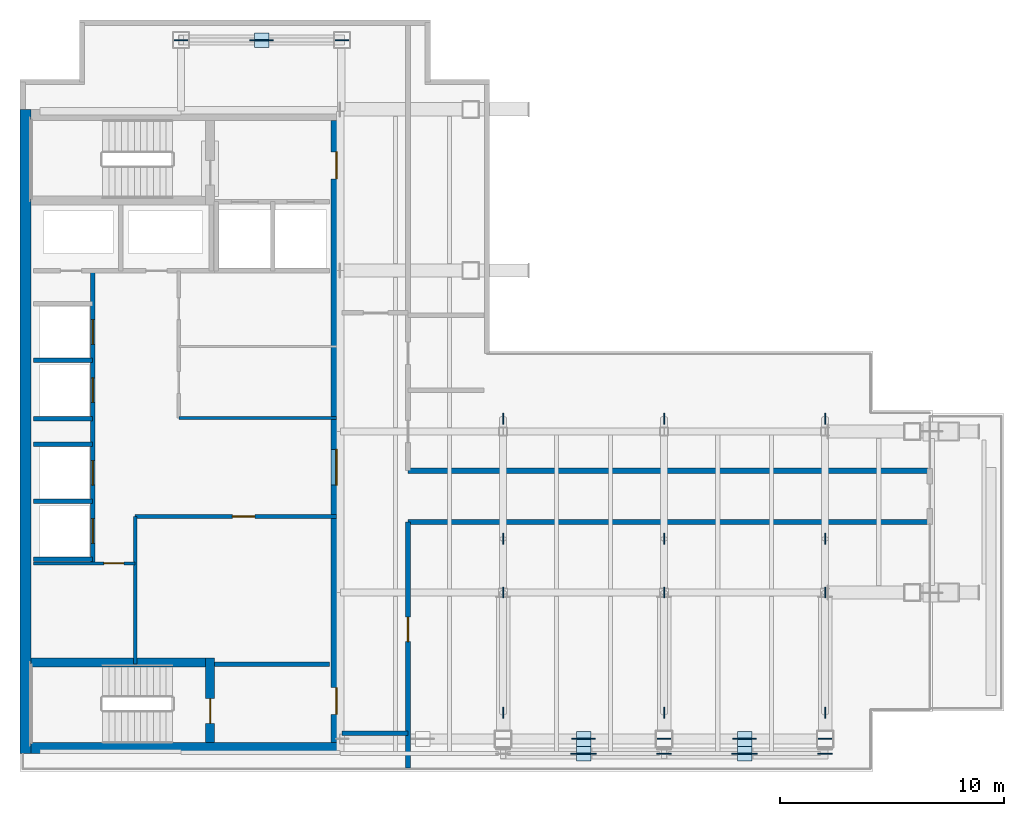
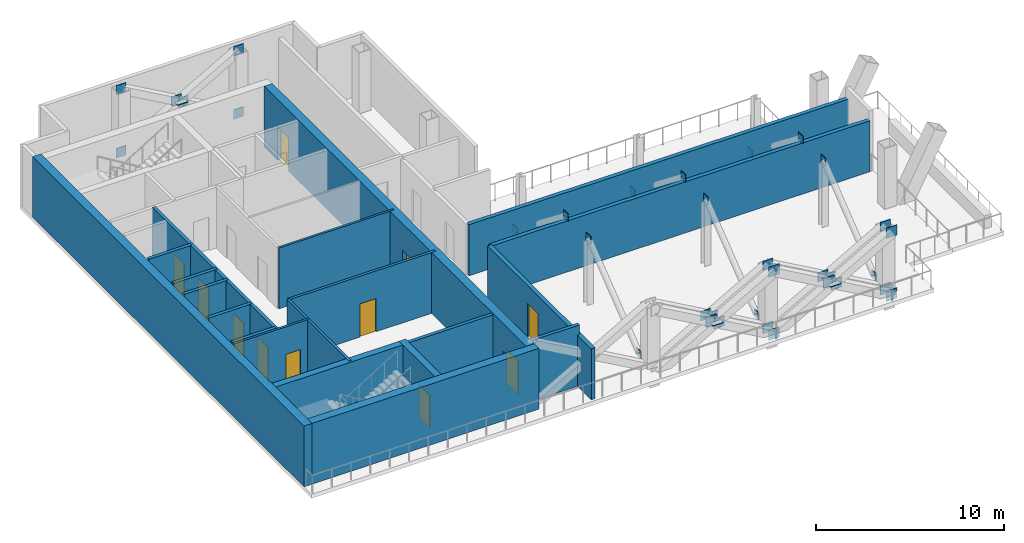
# One storey, part 3 of 6: 39 plates, 20 walls, 11 doors, 11 openings.
"""IFC4 building model written with IfcOpenShell, lengths in metres."""

from ifc_helpers import new_model, si_unit, direction, frame, frame_2d, origin, origin_2d, place, context, subcontext, project, spatial, rectangle, extrude, material, layer, layer_set, type_object, element, fill, save


model = new_model("IFC4")

# Units and contexts
model_context = context("Model", 3, precision=1e-05, world=origin(), true_north=direction((0.0, 1.0)))
body_context = subcontext(model_context, "Body", "Model", "MODEL_VIEW")
ifc_project = project(units=[si_unit("LENGTHUNIT", "METRE"), si_unit("AREAUNIT", "SQUARE_METRE"), si_unit("VOLUMEUNIT", "CUBIC_METRE"), si_unit("PLANEANGLEUNIT", "RADIAN"), si_unit("MASSUNIT", "GRAM", prefix="KILO")], contexts=[model_context])

# Site, building, storey
site_placement = place(None, origin())
site = spatial("IfcSite", under=ifc_project, at=site_placement, CompositionType="ELEMENT")
building_placement = place(site_placement, origin())
building = spatial("IfcBuilding", under=site, at=building_placement, Name="Cobrela Telecom Tower", CompositionType="ELEMENT")
storey_placement = place(building_placement, frame((0.0, 0.0, 232.75)))
storey = spatial("IfcBuildingStorey", under=building, at=storey_placement, Name="L60", CompositionType="ELEMENT", Elevation=232.75)

# Plates
ifc_material_1 = material(Name="Steel ASTM A572 Grade 50", Category="steel")
ifc_layer_1 = layer(ifc_material_1, 0.0419921875)
ifc_layer_set_1 = layer_set([ifc_layer_1], Name="Steel ASTM A572 Grade 50")
plate_type_1 = type_object("IfcPlateType", Name="PLT-NODE-ND11", PredefinedType="USERDEFINED", material=ifc_layer_set_1)
for number, where, z_axis, x_axis, name in (
    (1, (28.800048828125, 7.85009765625, 3.634765625), (0.0, 0.0, 1.0), (1.0, 0.0, 0.0), "Steel node plate PLT-MBR-BELT-L60-S04-A-1"),
    (2, (28.800048828125, 7.85009765625, -0.44482421875), (0.0, 0.0, 1.0), (-1.0, 0.0, 0.0), "Steel node plate PLT-MBR-BELT-L60-S04-B1-0"),
    (3, (25.419189453125, 7.85009765625, 1.470703125), (0.0, 0.0, 1.0), (-1.0, 0.0, 0.0), "Steel node plate PLT-MBR-BELT-L60-S04-B1-1"),
    (4, (24.980712890625, 7.85009765625, 1.71923828125), (0.0, 0.0, 1.0), (-1.0, 0.0, 0.0), "Steel node plate PLT-MBR-BELT-L60-S04-B2-0"),
):
    element("IfcPlate", number, at=place(storey_placement, frame(where, z_axis=z_axis, x_axis=x_axis)), inside=storey, type_object=plate_type_1, Name=name, ObjectType="GUSSET PLATE", PredefinedType="USERDEFINED", context=body_context, shape_type="SweptSolid", body=[
        extrude(rectangle(XDim=0.610107421875, YDim=0.044921875, at=origin_2d()), origin(), (0.0, 0.0, 1.0), 0.610107421875),
    ])
plate_1_placement = place(storey_placement, frame((25.199951171875, 7.85009765625, 1.87744140625), z_axis=(0.0, 0.0, 1.0), x_axis=(1.0, 0.0, 0.0)))
element("IfcPlate", 5, at=plate_1_placement, inside=storey, type_object=plate_type_1, Name="L60 South Perimeter Belt Truss Brace 04 Central X-Crossing Gusset Plate", ObjectType="GUSSET PLATE", PredefinedType="USERDEFINED", context=body_context, shape_type="SweptSolid", body=[
    extrude(rectangle(XDim=0.64990234375, YDim=0.64990234375, at=origin_2d()), origin(), (0.0, 0.0, 1.0), 0.044921875),
])
for number, where, z_axis, x_axis, name in (
    (6, (36.0, 7.85009765625, 3.634765625), (0.0, 0.0, 1.0), (1.0, 0.0, 0.0), "Steel node plate PLT-MBR-BELT-L60-S05-A-1"),
    (7, (36.0, 7.85009765625, -0.44482421875), (0.0, 0.0, 1.0), (-1.0, 0.0, 0.0), "Steel node plate PLT-MBR-BELT-L60-S05-B1-0"),
    (8, (32.619140625, 7.85009765625, 1.470703125), (0.0, 0.0, 1.0), (-1.0, 0.0, 0.0), "Steel node plate PLT-MBR-BELT-L60-S05-B1-1"),
    (9, (32.180908203125, 7.85009765625, 1.71923828125), (0.0, 0.0, 1.0), (-1.0, 0.0, 0.0), "Steel node plate PLT-MBR-BELT-L60-S05-B2-0"),
):
    element("IfcPlate", number, at=place(storey_placement, frame(where, z_axis=z_axis, x_axis=x_axis)), inside=storey, type_object=plate_type_1, Name=name, ObjectType="GUSSET PLATE", PredefinedType="USERDEFINED", context=body_context, shape_type="SweptSolid", body=[
        extrude(rectangle(XDim=0.610107421875, YDim=0.044921875, at=origin_2d()), origin(), (0.0, 0.0, 1.0), 0.610107421875),
    ])
plate_2_placement = place(storey_placement, frame((32.39990234375, 7.85009765625, 1.87744140625), z_axis=(0.0, 0.0, 1.0), x_axis=(1.0, 0.0, 0.0)))
element("IfcPlate", 10, at=plate_2_placement, inside=storey, type_object=plate_type_1, Name="L60 South Perimeter Belt Truss Brace 05 Central X-Crossing Gusset Plate", ObjectType="GUSSET PLATE", PredefinedType="USERDEFINED", context=body_context, shape_type="SweptSolid", body=[
    extrude(rectangle(XDim=0.64990234375, YDim=0.64990234375, at=origin_2d()), origin(), (0.0, 0.0, 1.0), 0.044921875),
])
for number, where, z_axis, x_axis, name in (
    (11, (7.199951171875, 39.10009765625, -0.44482421875), (0.0, 0.0, 1.0), (1.0, 0.0, 0.0), "Steel node plate PLT-MBR-BELT-L60-N06-A-0"),
    (12, (14.39990234375, 39.10009765625, 3.634765625), (0.0, 0.0, 1.0), (1.0, 0.0, 0.0), "Steel node plate PLT-MBR-BELT-L60-N06-A-1"),
    (13, (14.39990234375, 39.10009765625, -0.44482421875), (0.0, 0.0, 1.0), (-1.0, 0.0, 0.0), "Steel node plate PLT-MBR-BELT-L60-N06-B1-0"),
    (14, (11.019287109375, 39.10009765625, 1.470703125), (0.0, 0.0, 1.0), (-1.0, 0.0, 0.0), "Steel node plate PLT-MBR-BELT-L60-N06-B1-1"),
    (15, (10.580810546875, 39.10009765625, 1.71923828125), (0.0, 0.0, 1.0), (-1.0, 0.0, 0.0), "Steel node plate PLT-MBR-BELT-L60-N06-B2-0"),
    (16, (7.199951171875, 39.10009765625, 3.634765625), (0.0, 0.0, 1.0), (-1.0, 0.0, 0.0), "Steel node plate PLT-MBR-BELT-L60-N06-B2-1"),
):
    element("IfcPlate", number, at=place(storey_placement, frame(where, z_axis=z_axis, x_axis=x_axis)), inside=storey, type_object=plate_type_1, Name=name, ObjectType="GUSSET PLATE", PredefinedType="USERDEFINED", context=body_context, shape_type="SweptSolid", body=[
        extrude(rectangle(XDim=0.610107421875, YDim=0.044921875, at=origin_2d()), origin(), (0.0, 0.0, 1.0), 0.610107421875),
    ])
plate_3_placement = place(storey_placement, frame((10.800048828125, 39.10009765625, 1.87744140625), z_axis=(0.0, 0.0, 1.0), x_axis=(1.0, 0.0, 0.0)))
element("IfcPlate", 17, at=plate_3_placement, inside=storey, type_object=plate_type_1, Name="L60 North Perimeter Belt Truss Brace 06 Central X-Crossing Gusset Plate", ObjectType="GUSSET PLATE", PredefinedType="USERDEFINED", context=body_context, shape_type="SweptSolid", body=[
    extrude(rectangle(XDim=0.64990234375, YDim=0.64990234375, at=origin_2d()), origin(), (0.0, 0.0, 1.0), 0.044921875),
])
for number, where, z_axis, x_axis, name in (
    (18, (21.60009765625, 9.024169921875, -0.241943359375), (0.0, 0.0, 1.0), (0.0, 1.0, 0.0), "Steel node plate PLT-MBR-TURB-1-L60-S-0"),
    (19, (21.60009765625, 14.39990234375, 3.9580078125), (0.0, 0.0, 1.0), (0.0, 1.0, 0.0), "Steel node plate PLT-MBR-TURB-1-L60-S-1"),
    (20, (21.60009765625, 22.17578125, -0.241943359375), (0.0, 0.0, 1.0), (0.0, -1.0, 0.0), "Steel node plate PLT-MBR-TURB-1-L60-N-0"),
    (21, (21.60009765625, 16.800048828125, 3.9580078125), (0.0, 0.0, 1.0), (0.0, -1.0, 0.0), "Steel node plate PLT-MBR-TURB-1-L60-N-1"),
    (22, (28.800048828125, 9.024169921875, -0.241943359375), (0.0, 0.0, 1.0), (0.0, 1.0, 0.0), "Steel node plate PLT-MBR-TURB-2-L60-S-0"),
    (23, (28.800048828125, 14.39990234375, 3.9580078125), (0.0, 0.0, 1.0), (0.0, 1.0, 0.0), "Steel node plate PLT-MBR-TURB-2-L60-S-1"),
    (24, (28.800048828125, 22.17578125, -0.241943359375), (0.0, 0.0, 1.0), (0.0, -1.0, 0.0), "Steel node plate PLT-MBR-TURB-2-L60-N-0"),
    (25, (28.800048828125, 16.800048828125, 3.9580078125), (0.0, 0.0, 1.0), (0.0, -1.0, 0.0), "Steel node plate PLT-MBR-TURB-2-L60-N-1"),
    (26, (36.0, 9.024169921875, -0.241943359375), (0.0, 0.0, 1.0), (0.0, 1.0, 0.0), "Steel node plate PLT-MBR-TURB-3-L60-S-0"),
    (27, (36.0, 14.39990234375, 3.9580078125), (0.0, 0.0, 1.0), (0.0, 1.0, 0.0), "Steel node plate PLT-MBR-TURB-3-L60-S-1"),
    (28, (36.0, 22.17578125, -0.241943359375), (0.0, 0.0, 1.0), (0.0, -1.0, 0.0), "Steel node plate PLT-MBR-TURB-3-L60-N-0"),
    (29, (36.0, 16.800048828125, 3.9580078125), (0.0, 0.0, 1.0), (0.0, -1.0, 0.0), "Steel node plate PLT-MBR-TURB-3-L60-N-1"),
):
    element("IfcPlate", number, at=place(storey_placement, frame(where, z_axis=z_axis, x_axis=x_axis)), inside=storey, type_object=plate_type_1, Name=name, ObjectType="GUSSET PLATE", PredefinedType="USERDEFINED", context=body_context, shape_type="SweptSolid", body=[
        extrude(rectangle(XDim=0.48388671875, YDim=0.044921875, at=origin_2d()), origin(), (0.0, 0.0, 1.0), 0.48388671875),
    ])
ifc_layer_2 = layer(ifc_material_1, 0.0419921875)
ifc_layer_set_2 = layer_set([ifc_layer_2], Name="Steel ASTM A572 Grade 50")
plate_type_2 = type_object("IfcPlateType", Name="PLT-NODE-ND6", PredefinedType="USERDEFINED", material=ifc_layer_set_2)
for number, where, z_axis, x_axis, name in (
    (30, (28.800048828125, 7.199951171875, 3.60986328125), (0.0, 0.0, 1.0), (1.0, 0.0, 0.0), "Steel node plate PLT-MBR-OUT-L60-01-A-1"),
    (31, (28.800048828125, 7.199951171875, -0.4697265625), (0.0, 0.0, 1.0), (-1.0, 0.0, 0.0), "Steel node plate PLT-MBR-OUT-L60-01-B1-0"),
    (32, (25.443603515625, 7.199951171875, 1.43212890625), (0.0, 0.0, 1.0), (-1.0, 0.0, 0.0), "Steel node plate PLT-MBR-OUT-L60-01-B1-1"),
    (33, (24.956298828125, 7.199951171875, 1.7080078125), (0.0, 0.0, 1.0), (-1.0, 0.0, 0.0), "Steel node plate PLT-MBR-OUT-L60-01-B2-0"),
):
    element("IfcPlate", number, at=place(storey_placement, frame(where, z_axis=z_axis, x_axis=x_axis)), inside=storey, type_object=plate_type_2, Name=name, ObjectType="GUSSET PLATE", PredefinedType="USERDEFINED", context=body_context, shape_type="SweptSolid", body=[
        extrude(rectangle(XDim=0.659912109375, YDim=0.044921875, at=origin_2d()), origin(), (0.0, 0.0, 1.0), 0.659912109375),
    ])
plate_4_placement = place(storey_placement, frame((25.199951171875, 7.199951171875, 1.87744140625), z_axis=(0.0, 0.0, 1.0), x_axis=(1.0, 0.0, 0.0)))
element("IfcPlate", 34, at=plate_4_placement, inside=storey, type_object=plate_type_2, Name="L60 Outrigger Truss Brace 01 Central X-Crossing Gusset Plate", ObjectType="GUSSET PLATE", PredefinedType="USERDEFINED", context=body_context, shape_type="SweptSolid", body=[
    extrude(rectangle(XDim=0.64990234375, YDim=0.64990234375, at=origin_2d()), origin(), (0.0, 0.0, 1.0), 0.044921875),
])
for number, where, z_axis, x_axis, name in (
    (35, (36.0, 7.199951171875, 3.60986328125), (0.0, 0.0, 1.0), (1.0, 0.0, 0.0), "Steel node plate PLT-MBR-OUT-L60-02-A-1"),
    (36, (36.0, 7.199951171875, -0.4697265625), (0.0, 0.0, 1.0), (-1.0, 0.0, 0.0), "Steel node plate PLT-MBR-OUT-L60-02-B1-0"),
    (37, (32.6435546875, 7.199951171875, 1.43212890625), (0.0, 0.0, 1.0), (-1.0, 0.0, 0.0), "Steel node plate PLT-MBR-OUT-L60-02-B1-1"),
    (38, (32.156494140625, 7.199951171875, 1.7080078125), (0.0, 0.0, 1.0), (-1.0, 0.0, 0.0), "Steel node plate PLT-MBR-OUT-L60-02-B2-0"),
):
    element("IfcPlate", number, at=place(storey_placement, frame(where, z_axis=z_axis, x_axis=x_axis)), inside=storey, type_object=plate_type_2, Name=name, ObjectType="GUSSET PLATE", PredefinedType="USERDEFINED", context=body_context, shape_type="SweptSolid", body=[
        extrude(rectangle(XDim=0.659912109375, YDim=0.044921875, at=origin_2d()), origin(), (0.0, 0.0, 1.0), 0.659912109375),
    ])
plate_5_placement = place(storey_placement, frame((32.39990234375, 7.199951171875, 1.87744140625), z_axis=(0.0, 0.0, 1.0), x_axis=(1.0, 0.0, 0.0)))
element("IfcPlate", 39, at=plate_5_placement, inside=storey, type_object=plate_type_2, Name="L60 Outrigger Truss Brace 02 Central X-Crossing Gusset Plate", ObjectType="GUSSET PLATE", PredefinedType="USERDEFINED", context=body_context, shape_type="SweptSolid", body=[
    extrude(rectangle(XDim=0.64990234375, YDim=0.64990234375, at=origin_2d()), origin(), (0.0, 0.0, 1.0), 0.044921875),
])

# Walls
ifc_material_2 = material(Name="Concrete C40/50", Category="concrete")
ifc_layer_3 = layer(ifc_material_2, 0.5)
ifc_layer_set_3 = layer_set([ifc_layer_3], Name="Concrete C40/50")
wall_type_1 = type_object("IfcWallType", Name="WALL-CORE-C40-500", PredefinedType="SHEAR", material=ifc_layer_set_3)
wall_1_placement = place(storey_placement, frame((0.25, 7.199951171875, 0.0), z_axis=(0.0, 0.0, 1.0), x_axis=(0.0, 1.0, 0.0)))
element("IfcWall", 40, at=wall_1_placement, inside=storey, type_object=wall_type_1, Name="L60 West Core Shear Wall", PredefinedType="SHEAR", context=body_context, shape_type="SweptSolid", body=[
    extrude(rectangle(XDim=28.800048828125, YDim=0.5, at=frame_2d((14.39990234375, 0.0))), origin(), (0.0, 0.0, 1.0), 3.93994140625),
])
wall_2_placement = place(storey_placement, frame((0.5, 7.449951171875, 0.0), z_axis=(0.0, 0.0, 1.0), x_axis=(1.0, 0.0, 0.0)))
element("IfcWall", 41, at=wall_2_placement, inside=storey, type_object=wall_type_1, Name="L60 South Core Shear Wall", PredefinedType="SHEAR", context=body_context, shape_type="SweptSolid", body=[
    extrude(rectangle(XDim=13.89990234375, YDim=0.5, at=frame_2d((6.949951171875, 0.0))), origin(), (0.0, 0.0, 1.0), 3.93994140625),
])

# Wall, openings, doors
wall_3_placement = place(storey_placement, frame((14.14990234375, 35.5, 0.0), z_axis=(0.0, 0.0, 1.0), x_axis=(0.0, -1.0, 0.0)))
wall_3 = element("IfcWall", 42, at=wall_3_placement, inside=storey, type_object=wall_type_1, Name="L60 East Core Shear Wall", PredefinedType="SHEAR", context=body_context, shape_type="SweptSolid", body=[
    extrude(rectangle(XDim=27.800048828125, YDim=0.5, at=frame_2d((13.89990234375, 0.0))), origin(), (0.0, 0.0, 1.0), 3.93994140625),
])
opening_1_placement = place(wall_3_placement, frame((1.39990234375, 0.0, 0.0)))
opening_1 = element("IfcOpeningElement", 43, at=opening_1_placement, cuts=wall_3, Name="Opening DR-19", PredefinedType="OPENING", context=body_context, shape_type="SweptSolid", body=[
    extrude(rectangle(XDim=1.199951171875, YDim=2.14990234375, at=frame_2d((0.60009765625, 1.074951171875))), frame((0.0, 0.261962890625, 0.0), z_axis=(0.0, -1.0, 0.0), x_axis=(1.0, 0.0, 0.0)), (0.0, 0.0, 1.0), 0.52392578125),
])
opening_2_placement = place(wall_3_placement, frame((25.35009765625, 0.0, 0.0)))
opening_2 = element("IfcOpeningElement", 44, at=opening_2_placement, cuts=wall_3, Name="Opening DR-19", PredefinedType="OPENING", context=body_context, shape_type="SweptSolid", body=[
    extrude(rectangle(XDim=1.199951171875, YDim=2.14990234375, at=frame_2d((0.60009765625, 1.074951171875))), frame((0.0, 0.261962890625, 0.0), z_axis=(0.0, -1.0, 0.0), x_axis=(1.0, 0.0, 0.0)), (0.0, 0.0, 1.0), 0.52392578125),
])
opening_3_placement = place(wall_3_placement, frame((14.699951171875, 0.0, 0.0)))
opening_3 = element("IfcOpeningElement", 45, at=opening_3_placement, cuts=wall_3, Name="Opening DR-51", PredefinedType="OPENING", context=body_context, shape_type="SweptSolid", body=[
    extrude(rectangle(XDim=1.60009765625, YDim=2.199951171875, at=frame_2d((0.800048828125, 1.10009765625))), frame((0.0, 0.261962890625, 0.0), z_axis=(0.0, -1.0, 0.0), x_axis=(1.0, 0.0, 0.0)), (0.0, 0.0, 1.0), 0.52392578125),
])
ifc_material_3 = material(Name="Steel ASTM A36", Category="steel")
door_type_1 = type_object("IfcDoorType", Name="DOOR-FD60-1200", OperationType="SINGLE_SWING_LEFT", PredefinedType="DOOR", material=ifc_material_3)
door_1_placement = place(opening_1_placement, origin())
door_1 = element("IfcDoor", 46, at=door_1_placement, inside=storey, type_object=door_type_1, Name="L60 Door DR-19", OperationType="SINGLE_SWING_LEFT", OverallHeight=2.14990234375, OverallWidth=1.199951171875, PredefinedType="DOOR", context=body_context, shape_type="SweptSolid", body=[
    extrude(rectangle(XDim=1.199951171875, YDim=2.14990234375, at=frame_2d((0.60009765625, 1.074951171875))), frame((0.0, 0.02490234375, 0.0), z_axis=(0.0, -1.0, 0.0), x_axis=(1.0, 0.0, 0.0)), (0.0, 0.0, 1.0), 0.050048828125),
])
fill(opening_1, door_1)
door_2_placement = place(opening_2_placement, origin())
door_2 = element("IfcDoor", 47, at=door_2_placement, inside=storey, type_object=door_type_1, Name="L60 Door DR-19", OperationType="SINGLE_SWING_RIGHT", OverallHeight=2.14990234375, OverallWidth=1.199951171875, PredefinedType="DOOR", context=body_context, shape_type="SweptSolid", body=[
    extrude(rectangle(XDim=1.199951171875, YDim=2.14990234375, at=frame_2d((0.60009765625, 1.074951171875))), frame((0.0, 0.02490234375, 0.0), z_axis=(0.0, -1.0, 0.0), x_axis=(1.0, 0.0, 0.0)), (0.0, 0.0, 1.0), 0.050048828125),
])
fill(opening_2, door_2)
door_type_2 = type_object("IfcDoorType", Name="DOOR-FD60-1600", OperationType="SINGLE_SWING_LEFT", PredefinedType="DOOR", material=ifc_material_3)
door_3_placement = place(opening_3_placement, origin())
door_3 = element("IfcDoor", 48, at=door_3_placement, inside=storey, type_object=door_type_2, Name="L60 Door DR-51", OperationType="DOUBLE_DOOR_SINGLE_SWING", OverallHeight=2.199951171875, OverallWidth=1.60009765625, PredefinedType="DOOR", context=body_context, shape_type="SweptSolid", body=[
    extrude(rectangle(XDim=1.60009765625, YDim=2.199951171875, at=frame_2d((0.800048828125, 1.10009765625))), frame((0.0, 0.02490234375, 0.0), z_axis=(0.0, -1.0, 0.0), x_axis=(1.0, 0.0, 0.0)), (0.0, 0.0, 1.0), 0.050048828125),
])
fill(opening_3, door_3)

# Wall, opening, door
ifc_layer_4 = layer(ifc_material_2, 0.239990234375)
ifc_layer_set_4 = layer_set([ifc_layer_4], Name="Concrete C40/50")
wall_type_2 = type_object("IfcWallType", Name="WALL-EXT-300", PredefinedType="STANDARD", material=ifc_layer_set_4)
wall_4_placement = place(storey_placement, frame((17.35009765625, 6.550048828125, 0.0), z_axis=(0.0, 0.0, 1.0), x_axis=(0.0, 1.0, 0.0)))
wall_4 = element("IfcWall", 49, at=wall_4_placement, inside=storey, type_object=wall_type_2, Name="L60 Shaft Enclosure W-TB-ES", PredefinedType="STANDARD", context=body_context, shape_type="SweptSolid", body=[
    extrude(rectangle(XDim=11.0, YDim=0.239990234375, at=frame_2d((5.5, 0.0))), origin(), (0.0, 0.0, 1.0), 3.31298828125),
])
opening_4_placement = place(wall_4_placement, frame((5.64990234375, 0.0, 0.0)))
opening_4 = element("IfcOpeningElement", 50, at=opening_4_placement, cuts=wall_4, Name="Opening ED-3", PredefinedType="OPENING", context=body_context, shape_type="SweptSolid", body=[
    extrude(rectangle(XDim=1.10009765625, YDim=2.14990234375, at=frame_2d((0.550048828125, 1.074951171875))), frame((0.0, 0.1318359375, 0.0), z_axis=(0.0, -1.0, 0.0), x_axis=(1.0, 0.0, 0.0)), (0.0, 0.0, 1.0), 0.263916015625),
])
ifc_material_4 = material(Name="Anodized Bronze Aluminium 6063-T6", Category="aluminium")
door_type_3 = type_object("IfcDoorType", Name="DOOR-EXT-1100", OperationType="SINGLE_SWING_LEFT", PredefinedType="DOOR", material=ifc_material_4)
door_4_placement = place(opening_4_placement, origin())
door_4 = element("IfcDoor", 51, at=door_4_placement, inside=storey, type_object=door_type_3, Name="L60 Door ED-3", OperationType="SINGLE_SWING_RIGHT", OverallHeight=2.14990234375, OverallWidth=1.10009765625, PredefinedType="DOOR", context=body_context, shape_type="SweptSolid", body=[
    extrude(rectangle(XDim=1.10009765625, YDim=2.14990234375, at=frame_2d((0.550048828125, 1.074951171875))), frame((0.0, 0.02490234375, 0.0), z_axis=(0.0, -1.0, 0.0), x_axis=(1.0, 0.0, 0.0)), (0.0, 0.0, 1.0), 0.050048828125),
])
fill(opening_4, door_4)

# Walls
for number, where, z_axis, x_axis, name in (
    (52, (17.35009765625, 17.550048828125, 0.0), (0.0, 0.0, 1.0), (1.0, 0.0, 0.0), "L60 Shaft Enclosure W-TB-CS"),
    (53, (17.35009765625, 19.85009765625, 0.0), (0.0, 0.0, 1.0), (1.0, 0.0, 0.0), "L60 Shaft Enclosure W-TB-CN"),
):
    element("IfcWall", number, at=place(storey_placement, frame(where, z_axis=z_axis, x_axis=x_axis)), inside=storey, type_object=wall_type_2, Name=name, PredefinedType="STANDARD", context=body_context, shape_type="SweptSolid", body=[
        extrude(rectangle(XDim=23.25, YDim=0.239990234375, at=frame_2d((11.625, 0.0))), origin(), (0.0, 0.0, 1.0), 3.31298828125),
    ])
ifc_material_5 = material(Name="Fire-Rated Gypsum Plasterboard")
ifc_layer_5 = layer(ifc_material_5, 0.135009765625)
ifc_layer_set_5 = layer_set([ifc_layer_5], Name="Fire-Rated Gypsum Plasterboard")
wall_type_3 = type_object("IfcWallType", Name="WALL-PART-135", PredefinedType="PARTITIONING", material=ifc_layer_set_5)
wall_5_placement = place(storey_placement, frame((7.10009765625, 22.199951171875, 0.0), z_axis=(0.0, 0.0, 1.0), x_axis=(1.0, 0.0, 0.0)))
element("IfcWall", 54, at=wall_5_placement, inside=storey, type_object=wall_type_3, Name="L60 Interior Partition CW-RECL-S", PredefinedType="PARTITIONING", context=body_context, shape_type="SweptSolid", body=[
    extrude(rectangle(XDim=7.0498046875, YDim=0.135009765625, at=frame_2d((3.52490234375, 0.0))), origin(), (0.0, 0.0, 1.0), 3.93994140625),
])

# Wall, opening, door
wall_6_placement = place(storey_placement, frame((0.60009765625, 15.699951171875, 0.0), z_axis=(0.0, 0.0, 1.0), x_axis=(1.0, 0.0, 0.0)))
wall_6 = element("IfcWall", 55, at=wall_6_placement, inside=storey, type_object=wall_type_3, Name="L60 Interior Partition CW-FLEX-N", PredefinedType="PARTITIONING", context=body_context, shape_type="SweptSolid", body=[
    extrude(rectangle(XDim=4.5498046875, YDim=0.135009765625, at=frame_2d((2.27490234375, 0.0))), origin(), (0.0, 0.0, 1.0), 3.93994140625),
])
opening_5_placement = place(wall_6_placement, frame((3.14990234375, 0.0, 0.0)))
opening_5 = element("IfcOpeningElement", 56, at=opening_5_placement, cuts=wall_6, Name="Opening DR-41", PredefinedType="OPENING", context=body_context, shape_type="SweptSolid", body=[
    extrude(rectangle(XDim=0.89990234375, YDim=2.14990234375, at=frame_2d((0.449951171875, 1.074951171875))), frame((0.0, 0.07958984375, 0.0), z_axis=(0.0, -1.0, 0.0), x_axis=(1.0, 0.0, 0.0)), (0.0, 0.0, 1.0), 0.158935546875),
])
ifc_material_6 = material(Name="Solid Engineered Oak Timber", Category="wood")
door_type_4 = type_object("IfcDoorType", Name="DOOR-INT-900", OperationType="SINGLE_SWING_LEFT", PredefinedType="DOOR", material=ifc_material_6)
door_5_placement = place(opening_5_placement, origin())
door_5 = element("IfcDoor", 57, at=door_5_placement, inside=storey, type_object=door_type_4, Name="L60 Door DR-41", OperationType="SINGLE_SWING_LEFT", OverallHeight=2.14990234375, OverallWidth=0.89990234375, PredefinedType="DOOR", context=body_context, shape_type="SweptSolid", body=[
    extrude(rectangle(XDim=0.89990234375, YDim=2.14990234375, at=frame_2d((0.449951171875, 1.074951171875))), frame((0.0, 0.02490234375, 0.0), z_axis=(0.0, -1.0, 0.0), x_axis=(1.0, 0.0, 0.0)), (0.0, 0.0, 1.0), 0.050048828125),
])
fill(opening_5, door_5)

# Wall
ifc_layer_6 = layer(ifc_material_5, 0.14990234375)
ifc_layer_set_6 = layer_set([ifc_layer_6], Name="Fire-Rated Gypsum Plasterboard")
wall_type_4 = type_object("IfcWallType", Name="WALL-PART-150", PredefinedType="PARTITIONING", material=ifc_layer_set_6)
wall_7_placement = place(storey_placement, frame((5.14990234375, 11.199951171875, 0.0), z_axis=(0.0, 0.0, 1.0), x_axis=(0.0, 1.0, 0.0)))
element("IfcWall", 58, at=wall_7_placement, inside=storey, type_object=wall_type_4, Name="L60 Interior Partition CW-RECM-W", PredefinedType="PARTITIONING", context=body_context, shape_type="SweptSolid", body=[
    extrude(rectangle(XDim=6.60009765625, YDim=0.14990234375, at=frame_2d((3.300048828125, 0.0))), origin(), (0.0, 0.0, 1.0), 3.93994140625),
])

# Wall, opening, door
ifc_layer_7 = layer(ifc_material_5, 0.159912109375)
ifc_layer_set_7 = layer_set([ifc_layer_7], Name="Fire-Rated Gypsum Plasterboard")
wall_type_5 = type_object("IfcWallType", Name="WALL-PART-160", PredefinedType="PARTITIONING", material=ifc_layer_set_7)
wall_8_placement = place(storey_placement, frame((5.14990234375, 17.800048828125, 0.0), z_axis=(0.0, 0.0, 1.0), x_axis=(1.0, 0.0, 0.0)))
wall_8 = element("IfcWall", 59, at=wall_8_placement, inside=storey, type_object=wall_type_5, Name="L60 Interior Partition CW-RECM-N", PredefinedType="PARTITIONING", context=body_context, shape_type="SweptSolid", body=[
    extrude(rectangle(XDim=9.0, YDim=0.159912109375, at=frame_2d((4.5, 0.0))), origin(), (0.0, 0.0, 1.0), 3.93994140625),
])
opening_6_placement = place(wall_8_placement, frame((4.35009765625, 0.0, 0.0)))
opening_6 = element("IfcOpeningElement", 60, at=opening_6_placement, cuts=wall_8, Name="Opening DR-31", PredefinedType="OPENING", context=body_context, shape_type="SweptSolid", body=[
    extrude(rectangle(XDim=1.0, YDim=2.14990234375, at=frame_2d((0.5, 1.074951171875))), frame((0.0, 0.091796875, 0.0), z_axis=(0.0, -1.0, 0.0), x_axis=(1.0, 0.0, 0.0)), (0.0, 0.0, 1.0), 0.183837890625),
])
door_type_5 = type_object("IfcDoorType", Name="DOOR-INT-1000", OperationType="SINGLE_SWING_LEFT", PredefinedType="DOOR", material=ifc_material_6)
door_6_placement = place(opening_6_placement, origin())
door_6 = element("IfcDoor", 61, at=door_6_placement, inside=storey, type_object=door_type_5, Name="L60 Door DR-31", OperationType="SINGLE_SWING_LEFT", OverallHeight=2.14990234375, OverallWidth=1.0, PredefinedType="DOOR", context=body_context, shape_type="SweptSolid", body=[
    extrude(rectangle(XDim=1.0, YDim=2.14990234375, at=frame_2d((0.5, 1.074951171875))), frame((0.0, 0.02490234375, 0.0), z_axis=(0.0, -1.0, 0.0), x_axis=(1.0, 0.0, 0.0)), (0.0, 0.0, 1.0), 0.050048828125),
])
fill(opening_6, door_6)

# Wall
ifc_layer_8 = layer(ifc_material_5, 0.199951171875)
ifc_layer_set_8 = layer_set([ifc_layer_8], Name="Fire-Rated Gypsum Plasterboard")
wall_type_6 = type_object("IfcWallType", Name="WALL-SHAFT-200", PredefinedType="PARTITIONING", material=ifc_layer_set_8)
wall_9_placement = place(storey_placement, frame((8.699951171875, 11.199951171875, 0.0), z_axis=(0.0, 0.0, 1.0), x_axis=(1.0, 0.0, 0.0)))
element("IfcWall", 62, at=wall_9_placement, inside=storey, type_object=wall_type_6, Name="L60 Shaft Enclosure CW-ST2L-N", PredefinedType="PARTITIONING", context=body_context, shape_type="SweptSolid", body=[
    extrude(rectangle(XDim=5.150146484375, YDim=0.199951171875, at=frame_2d((2.5751953125, 0.0))), origin(), (0.0, 0.0, 1.0), 3.93994140625),
])

# Wall, openings, doors
wall_10_placement = place(storey_placement, frame((3.25, 15.699951171875, 0.0), z_axis=(0.0, 0.0, 1.0), x_axis=(0.0, 1.0, 0.0)))
wall_10 = element("IfcWall", 63, at=wall_10_placement, inside=storey, type_object=wall_type_6, Name="L60 Shaft Enclosure CW-PLH-E", PredefinedType="PARTITIONING", context=body_context, shape_type="SweptSolid", body=[
    extrude(rectangle(XDim=13.080078125, YDim=0.199951171875, at=frame_2d((6.5400390625, 0.0))), origin(), (0.0, 0.0, 1.0), 3.93994140625),
])
opening_7_placement = place(wall_10_placement, frame((0.89990234375, 0.0, 0.0)))
opening_7 = element("IfcOpeningElement", 64, at=opening_7_placement, cuts=wall_10, Name="Opening LD-1", PredefinedType="OPENING", context=body_context, shape_type="SweptSolid", body=[
    extrude(rectangle(XDim=1.10009765625, YDim=2.199951171875, at=frame_2d((0.550048828125, 1.10009765625))), frame((0.0, 0.11181640625, 0.0), z_axis=(0.0, -1.0, 0.0), x_axis=(1.0, 0.0, 0.0)), (0.0, 0.0, 1.0), 0.223876953125),
])
opening_8_placement = place(wall_10_placement, frame((3.5, 0.0, 0.0)))
opening_8 = element("IfcOpeningElement", 65, at=opening_8_placement, cuts=wall_10, Name="Opening LD-1", PredefinedType="OPENING", context=body_context, shape_type="SweptSolid", body=[
    extrude(rectangle(XDim=1.10009765625, YDim=2.199951171875, at=frame_2d((0.550048828125, 1.10009765625))), frame((0.0, 0.11181640625, 0.0), z_axis=(0.0, -1.0, 0.0), x_axis=(1.0, 0.0, 0.0)), (0.0, 0.0, 1.0), 0.223876953125),
])
opening_9_placement = place(wall_10_placement, frame((7.199951171875, 0.0, 0.0)))
opening_9 = element("IfcOpeningElement", 66, at=opening_9_placement, cuts=wall_10, Name="Opening LD-1", PredefinedType="OPENING", context=body_context, shape_type="SweptSolid", body=[
    extrude(rectangle(XDim=1.10009765625, YDim=2.199951171875, at=frame_2d((0.550048828125, 1.10009765625))), frame((0.0, 0.11181640625, 0.0), z_axis=(0.0, -1.0, 0.0), x_axis=(1.0, 0.0, 0.0)), (0.0, 0.0, 1.0), 0.223876953125),
])
opening_10_placement = place(wall_10_placement, frame((9.800048828125, 0.0, 0.0)))
opening_10 = element("IfcOpeningElement", 67, at=opening_10_placement, cuts=wall_10, Name="Opening LD-1", PredefinedType="OPENING", context=body_context, shape_type="SweptSolid", body=[
    extrude(rectangle(XDim=1.10009765625, YDim=2.199951171875, at=frame_2d((0.550048828125, 1.10009765625))), frame((0.0, 0.11181640625, 0.0), z_axis=(0.0, -1.0, 0.0), x_axis=(1.0, 0.0, 0.0)), (0.0, 0.0, 1.0), 0.223876953125),
])
door_type_6 = type_object("IfcDoorType", Name="DOOR-LD-PL", OperationType="SINGLE_SWING_LEFT", PredefinedType="DOOR", material=ifc_material_3)
door_7_placement = place(opening_7_placement, origin())
door_7 = element("IfcDoor", 68, at=door_7_placement, inside=storey, type_object=door_type_6, Name="L60 Lift Landing Door LD-1", OperationType="DOUBLE_DOOR_SLIDING", OverallHeight=2.199951171875, OverallWidth=1.10009765625, PredefinedType="DOOR", context=body_context, shape_type="SweptSolid", body=[
    extrude(rectangle(XDim=1.10009765625, YDim=2.199951171875, at=frame_2d((0.550048828125, 1.10009765625))), frame((0.0, 0.02490234375, 0.0), z_axis=(0.0, -1.0, 0.0), x_axis=(1.0, 0.0, 0.0)), (0.0, 0.0, 1.0), 0.050048828125),
])
fill(opening_7, door_7)
door_8_placement = place(opening_8_placement, origin())
door_8 = element("IfcDoor", 69, at=door_8_placement, inside=storey, type_object=door_type_6, Name="L60 Lift Landing Door LD-1", OperationType="DOUBLE_DOOR_SLIDING", OverallHeight=2.199951171875, OverallWidth=1.10009765625, PredefinedType="DOOR", context=body_context, shape_type="SweptSolid", body=[
    extrude(rectangle(XDim=1.10009765625, YDim=2.199951171875, at=frame_2d((0.550048828125, 1.10009765625))), frame((0.0, 0.02490234375, 0.0), z_axis=(0.0, -1.0, 0.0), x_axis=(1.0, 0.0, 0.0)), (0.0, 0.0, 1.0), 0.050048828125),
])
fill(opening_8, door_8)
door_9_placement = place(opening_9_placement, origin())
door_9 = element("IfcDoor", 70, at=door_9_placement, inside=storey, type_object=door_type_6, Name="L60 Lift Landing Door LD-1", OperationType="DOUBLE_DOOR_SLIDING", OverallHeight=2.199951171875, OverallWidth=1.10009765625, PredefinedType="DOOR", context=body_context, shape_type="SweptSolid", body=[
    extrude(rectangle(XDim=1.10009765625, YDim=2.199951171875, at=frame_2d((0.550048828125, 1.10009765625))), frame((0.0, 0.02490234375, 0.0), z_axis=(0.0, -1.0, 0.0), x_axis=(1.0, 0.0, 0.0)), (0.0, 0.0, 1.0), 0.050048828125),
])
fill(opening_9, door_9)
door_10_placement = place(opening_10_placement, origin())
door_10 = element("IfcDoor", 71, at=door_10_placement, inside=storey, type_object=door_type_6, Name="L60 Lift Landing Door LD-1", OperationType="DOUBLE_DOOR_SLIDING", OverallHeight=2.199951171875, OverallWidth=1.10009765625, PredefinedType="DOOR", context=body_context, shape_type="SweptSolid", body=[
    extrude(rectangle(XDim=1.10009765625, YDim=2.199951171875, at=frame_2d((0.550048828125, 1.10009765625))), frame((0.0, 0.02490234375, 0.0), z_axis=(0.0, -1.0, 0.0), x_axis=(1.0, 0.0, 0.0)), (0.0, 0.0, 1.0), 0.050048828125),
])
fill(opening_10, door_10)

# Walls
for number, where, z_axis, x_axis, name in (
    (72, (0.60009765625, 15.8798828125, 0.0), (0.0, 0.0, 1.0), (1.0, 0.0, 0.0), "L60 Shaft Enclosure CW-PLH-D9"),
    (73, (0.60009765625, 18.47998046875, 0.0), (0.0, 0.0, 1.0), (1.0, 0.0, 0.0), "L60 Shaft Enclosure CW-PLH-D10"),
    (74, (0.60009765625, 22.179931640625, 0.0), (0.0, 0.0, 1.0), (1.0, 0.0, 0.0), "L60 Shaft Enclosure CW-PLH-D11"),
    (75, (0.60009765625, 24.780029296875, 0.0), (0.0, 0.0, 1.0), (1.0, 0.0, 0.0), "L60 Shaft Enclosure CW-PLH-D12"),
    (76, (0.60009765625, 21.02001953125, 0.0), (0.0, 0.0, 1.0), (1.0, 0.0, 0.0), "L60 Shaft Enclosure CW-PLH-MID"),
):
    element("IfcWall", number, at=place(storey_placement, frame(where, z_axis=z_axis, x_axis=x_axis)), inside=storey, type_object=wall_type_6, Name=name, PredefinedType="PARTITIONING", context=body_context, shape_type="SweptSolid", body=[
        extrude(rectangle(XDim=2.64990234375, YDim=0.199951171875, at=frame_2d((1.324951171875, 0.0))), origin(), (0.0, 0.0, 1.0), 3.93994140625),
    ])
wall_11_placement = place(storey_placement, frame((14.39990234375, 8.10009765625, 0.0), z_axis=(0.0, 0.0, 1.0), x_axis=(1.0, 0.0, 0.0)))
element("IfcWall", 77, at=wall_11_placement, inside=storey, type_object=wall_type_6, Name="L60 Shaft Enclosure W-TB-S", PredefinedType="PARTITIONING", context=body_context, shape_type="SweptSolid", body=[
    extrude(rectangle(XDim=2.9501953125, YDim=0.199951171875, at=frame_2d((1.47509765625, 0.0))), origin(), (0.0, 0.0, 1.0), 3.93994140625),
])
ifc_layer_9 = layer(ifc_material_2, 0.39990234375)
ifc_layer_set_9 = layer_set([ifc_layer_9], Name="Concrete C40/50")
wall_type_7 = type_object("IfcWallType", Name="WALL-SHAFT-C40-400", PredefinedType="SHEAR", material=ifc_layer_set_9)
wall_12_placement = place(storey_placement, frame((0.5, 11.280029296875, 0.0), z_axis=(0.0, 0.0, 1.0), x_axis=(1.0, 0.0, 0.0)))
element("IfcWall", 78, at=wall_12_placement, inside=storey, type_object=wall_type_7, Name="L60 South Stair Shear Wall", PredefinedType="SHEAR", context=body_context, shape_type="SweptSolid", body=[
    extrude(rectangle(XDim=7.800048828125, YDim=0.39990234375, at=frame_2d((3.89990234375, 0.0))), origin(), (0.0, 0.0, 1.0), 3.93994140625),
])

# Wall, opening, door
wall_13_placement = place(storey_placement, frame((8.5, 7.699951171875, 0.0), z_axis=(0.0, 0.0, 1.0), x_axis=(0.0, 1.0, 0.0)))
wall_13 = element("IfcWall", 79, at=wall_13_placement, inside=storey, type_object=wall_type_7, Name="L60 South Stair Lobby Shear Wall", PredefinedType="SHEAR", context=body_context, shape_type="SweptSolid", body=[
    extrude(rectangle(XDim=3.780029296875, YDim=0.39990234375, at=frame_2d((1.89013671875, 0.0))), origin(), (0.0, 0.0, 1.0), 3.93994140625),
])
opening_11_placement = place(wall_13_placement, frame((0.85009765625, 0.0, 0.0)))
opening_11 = element("IfcOpeningElement", 80, at=opening_11_placement, cuts=wall_13, Name="Opening FD-90", PredefinedType="OPENING", context=body_context, shape_type="SweptSolid", body=[
    extrude(rectangle(XDim=1.10009765625, YDim=2.14990234375, at=frame_2d((0.550048828125, 1.074951171875))), frame((0.0, 0.2119140625, 0.0), z_axis=(0.0, -1.0, 0.0), x_axis=(1.0, 0.0, 0.0)), (0.0, 0.0, 1.0), 0.423828125),
])
door_type_7 = type_object("IfcDoorType", Name="DOOR-FD90-1100", OperationType="SINGLE_SWING_LEFT", PredefinedType="DOOR", material=ifc_material_3)
door_11_placement = place(opening_11_placement, origin())
door_11 = element("IfcDoor", 81, at=door_11_placement, inside=storey, type_object=door_type_7, Name="L60 Door FD-90", OperationType="SINGLE_SWING_LEFT", OverallHeight=2.14990234375, OverallWidth=1.10009765625, PredefinedType="DOOR", context=body_context, shape_type="SweptSolid", body=[
    extrude(rectangle(XDim=1.10009765625, YDim=2.14990234375, at=frame_2d((0.550048828125, 1.074951171875))), frame((0.0, 0.02490234375, 0.0), z_axis=(0.0, -1.0, 0.0), x_axis=(1.0, 0.0, 0.0)), (0.0, 0.0, 1.0), 0.050048828125),
])
fill(opening_11, door_11)

save(model, "model.ifc")
